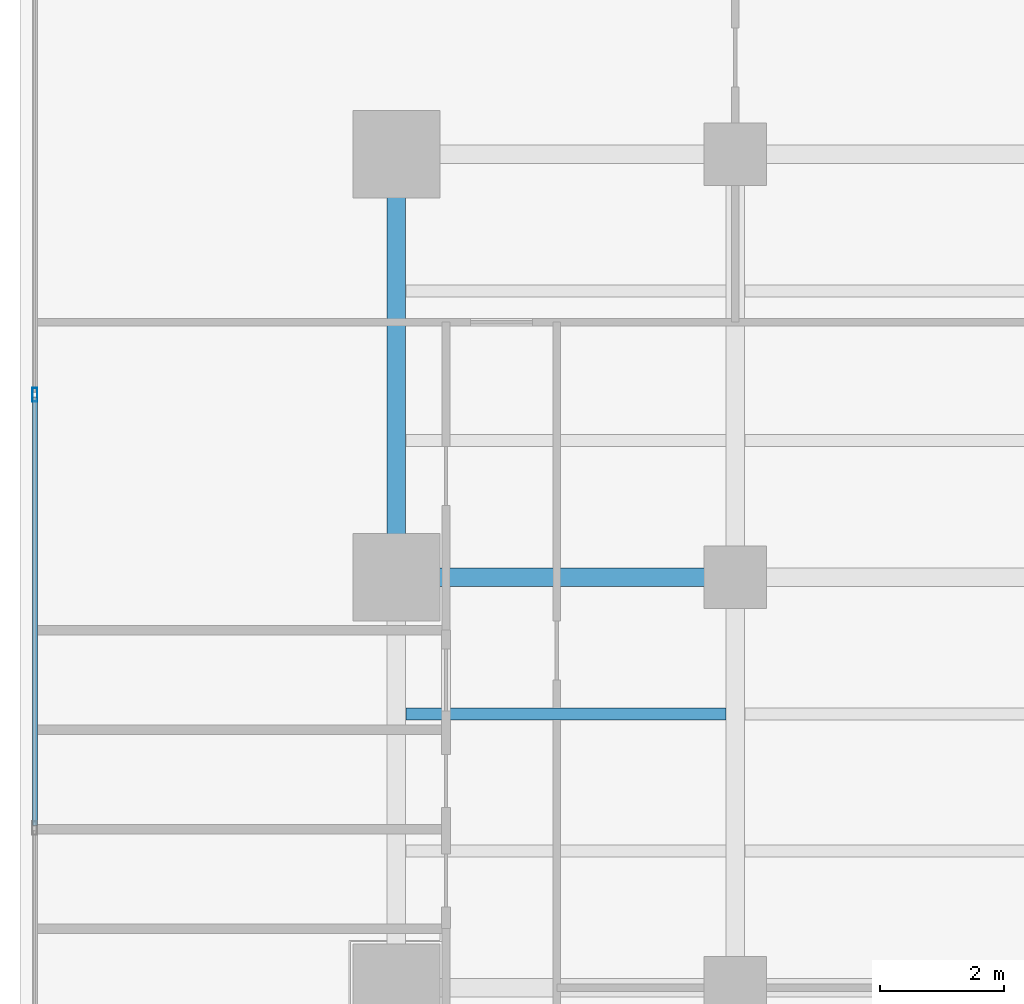
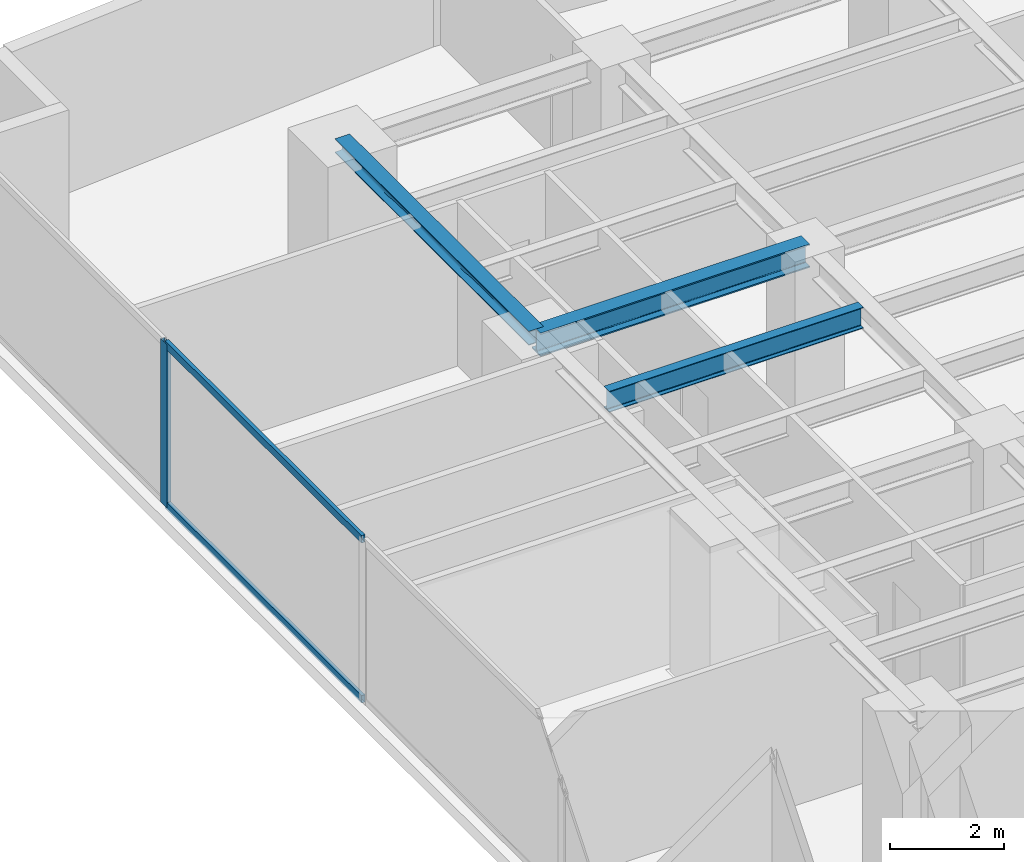
# One storey, part 14 of 25: 3 beams, 3 members, 1 element without a shape of its own.
"""IFC4 building model written with IfcOpenShell, lengths in metres."""

import ifcopenshell
import ifcopenshell.guid

model = None  # the IFC model being written
_history = None  # IfcOwnerHistory: only IFC2X3 demands one
_inside = {}  # id of a spatial element -> (the spatial element, [elements in it])
_under = {}  # id of a project, library or spatial element -> (it, [spatial elements below it])
_declared = {}  # id of a project -> (the project, [libraries it declares])
_typed = {}  # id of a type object -> (the type object, [elements of that type])
_made_of = {}  # id of a material, layer set ... -> (it, [elements and type objects made of it])


def new_model(schema):
    """Start an empty IFC model of exactly this schema.

    Asked for "IFC4X3", IfcOpenShell would pick the latest addendum, in which some entities
    have other attributes; the version numbers below select the first issue.
    IFC2X3 requires an IfcOwnerHistory on every rooted entity: one is made here for all.
    """
    global model, _history
    if schema == "IFC4X3":
        model = ifcopenshell.file(schema_version=(4, 3, 0, 0))
    else:
        model = ifcopenshell.file(schema=schema)
    _inside.clear()
    _under.clear()
    _declared.clear()
    _typed.clear()
    _made_of.clear()
    _history = None
    if model.schema == "IFC2X3":
        org = make("IfcOrganization", Name="unknown")
        user = make(
            "IfcPersonAndOrganization",
            ThePerson=make("IfcPerson", FamilyName="unknown"),
            TheOrganization=org,
        )
        app = make(
            "IfcApplication",
            ApplicationDeveloper=org,
            Version="unknown",
            ApplicationFullName="unknown",
            ApplicationIdentifier="unknown",
        )
        _history = make(
            "IfcOwnerHistory",
            OwningUser=user,
            OwningApplication=app,
            ChangeAction="ADDED",
            CreationDate=0,
        )
    return model


def make(cls, **values):
    """One entity of the class cls with the attributes given. An attribute that is None is left unset."""
    return model.create_entity(
        cls, **{name: value for name, value in values.items() if value is not None}
    )


def rooted(cls, **values):
    """An entity with a GlobalId (a new one), such as an element, a storey or a relation."""
    return make(cls, GlobalId=ifcopenshell.guid.new(), OwnerHistory=_history, **values)


def si_unit(unit_type, name, prefix=None):
    """IfcSIUnit, for example si_unit("LENGTHUNIT", "METRE", prefix="MILLI")."""
    return make("IfcSIUnit", UnitType=unit_type, Prefix=prefix, Name=name)


def assignment(units):
    """IfcUnitAssignment: the units of a project."""
    return None if units is None else make("IfcUnitAssignment", Units=units)


def point(xyz):
    """IfcCartesianPoint."""
    return None if xyz is None else make("IfcCartesianPoint", Coordinates=xyz)


def direction(xyz):
    """IfcDirection."""
    return None if xyz is None else make("IfcDirection", DirectionRatios=xyz)


def frame(location, z_axis=None, x_axis=None):
    """IfcAxis2Placement3D, a coordinate frame: its origin and axes. An axis left out is left unset."""
    return make(
        "IfcAxis2Placement3D",
        Location=point(location),
        Axis=direction(z_axis),
        RefDirection=direction(x_axis),
    )


def frame_2d(location, x_axis=None):
    """IfcAxis2Placement2D, a coordinate frame in the plane: its origin and x axis."""
    return make(
        "IfcAxis2Placement2D", Location=point(location), RefDirection=direction(x_axis)
    )


def origin():
    """The frame at (0, 0, 0) with its axes left unset."""
    return frame((0.0, 0.0, 0.0))


def origin_with_axes():
    """The frame at (0, 0, 0) with the z axis (0, 0, 1) and the x axis (1, 0, 0) written out."""
    return frame((0.0, 0.0, 0.0), z_axis=(0.0, 0.0, 1.0), x_axis=(1.0, 0.0, 0.0))


def origin_2d():
    """The frame at (0, 0) in the plane with its x axis left unset."""
    return frame_2d((0.0, 0.0))


def place(relative_to, where):
    """IfcLocalPlacement: puts the frame where relative to a parent placement (None: the world)."""
    return make(
        "IfcLocalPlacement", PlacementRelTo=relative_to, RelativePlacement=where
    )


def context(
    kind, dimensions, precision=None, world=None, true_north=None, identifier=None
):
    """IfcGeometricRepresentationContext, for example the 3D "Model" context."""
    return make(
        "IfcGeometricRepresentationContext",
        ContextIdentifier=identifier,
        ContextType=kind,
        CoordinateSpaceDimension=dimensions,
        Precision=precision,
        WorldCoordinateSystem=world,
        TrueNorth=true_north,
    )


def subcontext(parent, identifier, kind, view, scale=None):
    """IfcGeometricRepresentationSubContext, for example "Body" below "Model"."""
    return make(
        "IfcGeometricRepresentationSubContext",
        ContextIdentifier=identifier,
        ContextType=kind,
        ParentContext=parent,
        TargetScale=scale,
        TargetView=view,
    )


def project(units=None, contexts=None):
    """IfcProject with its units and contexts."""
    return rooted(
        "IfcProject",
        Name="project",
        RepresentationContexts=contexts,
        UnitsInContext=assignment(units),
    )


def spatial(cls, under=None, at=None, **own):
    """A site, building, storey or space (cls), placed at a placement, below another one or the project."""
    s = rooted(cls, ObjectPlacement=at, **own)
    if under is not None:
        _under.setdefault(under.id(), (under, []))[1].append(s)
    return s


def profile(cls, at=None, kind="AREA", **sizes):
    """A parametric profile (cls). Its sizes go by their IFC names, for example OverallWidth=200.0."""
    return make(cls, ProfileType=kind, Position=at, **sizes)


def hollow_rectangle(**sizes):
    """IfcRectangleHollowProfileDef."""
    return profile("IfcRectangleHollowProfileDef", **sizes)


def i_section(**sizes):
    """IfcIShapeProfileDef."""
    return profile("IfcIShapeProfileDef", **sizes)


def extrude(swept, where, along, depth):
    """IfcExtrudedAreaSolid: the profile swept, set in the frame where, extruded along a direction by depth."""
    return make(
        "IfcExtrudedAreaSolid",
        SweptArea=swept,
        Position=where,
        ExtrudedDirection=direction(along),
        Depth=depth,
    )


def shape(context_of_items, identifier, shape_type, items):
    """IfcShapeRepresentation: the items that make up one representation, for example the "Body"."""
    return make(
        "IfcShapeRepresentation",
        ContextOfItems=context_of_items,
        RepresentationIdentifier=identifier,
        RepresentationType=shape_type,
        Items=items,
    )


def source(mapping_origin, context_of_items, identifier, shape_type, items):
    """IfcRepresentationMap: a shape defined once, which mapped items show again and again."""
    return make(
        "IfcRepresentationMap",
        MappingOrigin=mapping_origin,
        MappedRepresentation=shape(context_of_items, identifier, shape_type, items),
    )


def transform(
    local_origin,
    x_axis=None,
    y_axis=None,
    z_axis=None,
    scale=None,
    scale2=None,
    scale3=None,
    uniform=True,
):
    """IfcCartesianTransformationOperator3D, or its non-uniform kind. x_axis, y_axis, z_axis: its Axis1, 2, 3."""
    if uniform:
        return make(
            "IfcCartesianTransformationOperator3D",
            Axis1=direction(x_axis),
            Axis2=direction(y_axis),
            LocalOrigin=point(local_origin),
            Scale=scale,
            Axis3=direction(z_axis),
        )
    return make(
        "IfcCartesianTransformationOperator3DnonUniform",
        Axis1=direction(x_axis),
        Axis2=direction(y_axis),
        LocalOrigin=point(local_origin),
        Scale=scale,
        Axis3=direction(z_axis),
        Scale2=scale2,
        Scale3=scale3,
    )


def mapped(mapping_source, mapping_target):
    """IfcMappedItem: shows the shape of a source again, moved by a transform."""
    return make(
        "IfcMappedItem", MappingSource=mapping_source, MappingTarget=mapping_target
    )


def material(Name=None, Category=None):
    """IfcMaterial."""
    return make("IfcMaterial", Name=Name, Category=Category)


def layer(
    of_material, thickness, ventilated=None, Name=None, Category=None, Priority=None
):
    """IfcMaterialLayer: one layer of a wall or slab, of a material (None: an air gap)."""
    return make(
        "IfcMaterialLayer",
        Material=of_material,
        LayerThickness=thickness,
        IsVentilated=ventilated,
        Name=Name,
        Category=Category,
        Priority=Priority,
    )


def layer_set(layers, Name=None):
    """IfcMaterialLayerSet."""
    return make("IfcMaterialLayerSet", MaterialLayers=layers, LayerSetName=Name)


def material_profile(
    of_material, cross_section, Name=None, Category=None, Priority=None
):
    """IfcMaterialProfile: a cross section and its material."""
    return make(
        "IfcMaterialProfile",
        Name=Name,
        Material=of_material,
        Profile=cross_section,
        Priority=Priority,
        Category=Category,
    )


def profile_set(profiles, Name=None, composite=None):
    """IfcMaterialProfileSet."""
    return make(
        "IfcMaterialProfileSet",
        Name=Name,
        MaterialProfiles=profiles,
        CompositeProfile=composite,
    )


def made_of(thing, what):
    """Note that an element or type object is made of a material, layer set ...; save() writes the relation."""
    if what is not None:
        _made_of.setdefault(what.id(), (what, []))[1].append(thing)
    return thing


def type_object(cls, material=None, **own):
    """A type object (cls), such as IfcWallType, which elements share."""
    return made_of(rooted(cls, **own), material)


def element(
    cls,
    number,
    at=None,
    inside=None,
    cuts=None,
    type_object=None,
    material=None,
    context=None,
    identifier="Body",
    shape_type=None,
    held_by="IfcProductDefinitionShape",
    body=None,
    shapes=None,
    **own,
):
    """One element of the class cls, such as IfcWall. Its Tag is "e" and its number.

    at: its placement. inside: the storey or other place that contains it. cuts: it is an
    opening in that element (IfcRelVoidsElement). A single representation is given by context,
    identifier, shape_type and body (its items); several are given by shapes. held_by: the class
    of the entity that holds the representations. save() writes the other relations.
    """
    e = rooted(cls, Tag="e%d" % number, ObjectPlacement=at, **own)
    if body is not None:
        shapes = [shape(context, identifier, shape_type, body)]
    if shapes is not None:
        e.Representation = make(held_by, Representations=shapes)
    if inside is not None:
        _inside.setdefault(inside.id(), (inside, []))[1].append(e)
    if cuts is not None:
        rooted(
            "IfcRelVoidsElement", RelatingBuildingElement=cuts, RelatedOpeningElement=e
        )
    if type_object is not None:
        _typed.setdefault(type_object.id(), (type_object, []))[1].append(e)
    return made_of(e, material)


def aggregate(whole, parts):
    """IfcRelAggregates: a whole, such as a stair, and the parts it consists of."""
    return rooted("IfcRelAggregates", RelatingObject=whole, RelatedObjects=parts)


def save(model, path):
    """Write the relations noted so far, then the file.

    IfcRelAggregates (storeys below a building ...), IfcRelContainedInSpatialStructure (elements
    in a storey), IfcRelDefinesByType, IfcRelAssociatesMaterial and IfcRelDeclares: one each for
    every whole, place, type object, material and project.
    """
    for whole, parts in _under.values():
        aggregate(whole, parts)
    for where, things in _inside.values():
        rooted(
            "IfcRelContainedInSpatialStructure",
            RelatedElements=things,
            RelatingStructure=where,
        )
    for kind, things in _typed.values():
        rooted("IfcRelDefinesByType", RelatedObjects=things, RelatingType=kind)
    for what, things in _made_of.values():
        rooted("IfcRelAssociatesMaterial", RelatedObjects=things, RelatingMaterial=what)
    for by, libraries in _declared.values():
        rooted("IfcRelDeclares", RelatingContext=by, RelatedDefinitions=libraries)
    model.write(path)


model = new_model("IFC4")

# Units and contexts
model_context = context("Model", 3, precision=1e-05, world=origin(), true_north=direction((0.0, 1.0)))
body_context = subcontext(model_context, "Body", "Model", "MODEL_VIEW")
ifc_project = project(units=[si_unit("LENGTHUNIT", "METRE"), si_unit("AREAUNIT", "SQUARE_METRE"), si_unit("VOLUMEUNIT", "CUBIC_METRE"), si_unit("PLANEANGLEUNIT", "RADIAN"), si_unit("MASSUNIT", "GRAM", prefix="KILO")], contexts=[model_context])

# Site, building, storey
site_placement = place(None, origin())
site = spatial("IfcSite", under=ifc_project, at=site_placement, CompositionType="ELEMENT")
building_placement = place(site_placement, origin())
building = spatial("IfcBuilding", under=site, at=building_placement, Name="Kolvaren Waterfront Exchange", CompositionType="ELEMENT")
storey_placement = place(building_placement, frame((0.0, 0.0, 106.89990234375)))
storey = spatial("IfcBuildingStorey", under=building, at=storey_placement, Name="L27", CompositionType="ELEMENT", Elevation=106.89990234375)

# Beams
ifc_material_1 = material(Name="Steel S355", Category="steel")
ifc_material_profile_1 = material_profile(ifc_material_1, i_section(OverallWidth=0.300048828125, OverallDepth=0.300048828125, WebThickness=0.010986328125, FlangeThickness=0.01904296875, FilletRadius=0.027099609375, at=origin_2d()), Name="HEB300")
ifc_profile_set_1 = profile_set([ifc_material_profile_1], Name="Steel S355")
beam_type_1 = type_object("IfcBeamType", Name="STR-BM-HEB300", PredefinedType="SPANDREL", material=ifc_profile_set_1)
beam_1_placement = place(storey_placement, frame((7.449951171875, 37.800048828125, 3.35009765625), z_axis=(0.0, 1.0, 0.0), x_axis=(-1.0, 0.0, 0.0)))
element("IfcBeam", 1, at=beam_1_placement, inside=storey, type_object=beam_type_1, Name="L27 north-arm edge beam 3", PredefinedType="SPANDREL", context=body_context, shape_type="SweptSolid", body=[
    extrude(i_section(OverallWidth=0.300048828125, OverallDepth=0.300048828125, WebThickness=0.010986328125, FlangeThickness=0.01904296875, FilletRadius=0.027099609375, at=origin_2d()), origin(), (0.0, 0.0, 1.0), 6.800048828125),
])
ifc_material_profile_2 = material_profile(ifc_material_1, i_section(OverallWidth=0.300048828125, OverallDepth=0.5, WebThickness=0.014404296875, FlangeThickness=0.028076171875, FilletRadius=0.027099609375, at=origin_2d()), Name="HEB500")
ifc_profile_set_2 = profile_set([ifc_material_profile_2], Name="Steel S355")
beam_type_2 = type_object("IfcBeamType", Name="STR-BM-HEB500", PredefinedType="BEAM", material=ifc_profile_set_2)
beam_2_placement = place(storey_placement, frame((7.449951171875, 37.800048828125, 3.25), z_axis=(1.0, 0.0, 0.0), x_axis=(0.0, 1.0, 0.0)))
element("IfcBeam", 2, at=beam_2_placement, inside=storey, type_object=beam_type_2, Name="L27 north-arm girder 3A", PredefinedType="BEAM", context=body_context, shape_type="SweptSolid", body=[
    extrude(i_section(OverallWidth=0.300048828125, OverallDepth=0.5, WebThickness=0.014404296875, FlangeThickness=0.028076171875, FilletRadius=0.027099609375, at=origin_2d()), origin(), (0.0, 0.0, 1.0), 5.449951171875),
])
ifc_material_profile_3 = material_profile(ifc_material_1, i_section(OverallWidth=0.18994140625, OverallDepth=0.449951171875, WebThickness=0.009521484375, FlangeThickness=0.0146484375, FilletRadius=0.02099609375, at=origin_2d()), Name="IPE450")
ifc_profile_set_3 = profile_set([ifc_material_profile_3], Name="Steel S355")
beam_type_3 = type_object("IfcBeamType", Name="STR-BM-IPE450", PredefinedType="JOIST", material=ifc_profile_set_3)
beam_3_placement = place(storey_placement, frame((7.60205078125, 35.60009765625, 3.275146484375), z_axis=(1.0, 0.0, 0.0), x_axis=(0.0, 1.0, 0.0)))
element("IfcBeam", 3, at=beam_3_placement, inside=storey, type_object=beam_type_3, Name="L27 north-arm composite joist 4A", PredefinedType="JOIST", context=body_context, shape_type="SweptSolid", body=[
    extrude(i_section(OverallWidth=0.18994140625, OverallDepth=0.449951171875, WebThickness=0.009521484375, FlangeThickness=0.0146484375, FilletRadius=0.02099609375, at=origin_2d()), origin(), (0.0, 0.0, 1.0), 5.14599609375),
])

# Curtain wall, members
ifc_material_2 = material(Name="Anodised aluminium 6063-T6", Category="aluminium")
ifc_layer = layer(ifc_material_2, 0.219970703125, Name="Anodised aluminium 6063-T6")
ifc_layer_set = layer_set([ifc_layer], Name="Anodised aluminium 6063-T6")
curtain_wall_type = type_object("IfcCurtainWallType", Name="ARC-CW-SYS2", PredefinedType="USERDEFINED", material=ifc_layer_set)
curtain_wall_placement = place(storey_placement, origin())
curtain_wall = element("IfcCurtainWall", 4, at=curtain_wall_placement, inside=storey, type_object=curtain_wall_type, Name="L27 stick curtain wall CW2 (CW-L27-W)", ObjectType="STICK CURTAIN WALL", PredefinedType="USERDEFINED")
ifc_material_profile_4 = material_profile(ifc_material_2, hollow_rectangle(XDim=0.074951171875, YDim=0.159912109375, WallThickness=0.00439453125, at=origin_2d()), Name="ALU-TRN-160x75x4.5")
ifc_profile_set_4 = profile_set([ifc_material_profile_4], Name="Anodised aluminium 6063-T6")
member_type_1 = type_object("IfcMemberType", Name="ARC-CWT-160", PredefinedType="USERDEFINED", material=ifc_profile_set_4)
shared_shape_1 = source(origin_with_axes(), body_context, "Body", "SweptSolid", [
    extrude(hollow_rectangle(XDim=0.074951171875, YDim=0.159912109375, WallThickness=0.00439453125, at=origin_2d()), origin(), (0.0, 0.0, 1.0), 6.88671875),
])
member_1_placement = place(storey_placement, frame((1.639892578125, 33.806640625, 0.03759765625), z_axis=(0.0, 1.0, 0.0), x_axis=(-1.0, 0.0, 0.0)))
member_1 = element("IfcMember", 5, at=member_1_placement, type_object=member_type_1, Name="CW2 transom 5.1", ObjectType="TRANSOM", PredefinedType="USERDEFINED", context=body_context, shape_type="MappedRepresentation", body=[
    mapped(shared_shape_1, transform((0.0, 0.0, 0.0), x_axis=(1.0, 0.0, 0.0), y_axis=(0.0, 1.0, 0.0), z_axis=(0.0, 0.0, 1.0), scale=1.0)),
])
member_2_placement = place(storey_placement, frame((1.639892578125, 33.806640625, 3.462646484375), z_axis=(0.0, 1.0, 0.0), x_axis=(-1.0, 0.0, 0.0)))
member_2 = element("IfcMember", 6, at=member_2_placement, type_object=member_type_1, Name="CW2 transom 5.2", ObjectType="TRANSOM", PredefinedType="USERDEFINED", context=body_context, shape_type="MappedRepresentation", body=[
    mapped(shared_shape_1, transform((0.0, 0.0, 0.0), x_axis=(1.0, 0.0, 0.0), y_axis=(0.0, 1.0, 0.0), z_axis=(0.0, 0.0, 1.0), scale=1.0)),
])
ifc_material_profile_5 = material_profile(ifc_material_2, hollow_rectangle(XDim=0.080078125, YDim=0.219970703125, WallThickness=0.0048828125, at=origin_2d()), Name="ALU-MUL-220x80x5")
ifc_profile_set_5 = profile_set([ifc_material_profile_5], Name="Anodised aluminium 6063-T6")
member_type_2 = type_object("IfcMemberType", Name="ARC-CWM-220", PredefinedType="MULLION", material=ifc_profile_set_5)
shared_shape_2 = source(origin_with_axes(), body_context, "Body", "SweptSolid", [
    extrude(hollow_rectangle(XDim=0.080078125, YDim=0.219970703125, WallThickness=0.0048828125, at=origin_2d()), origin(), (0.0, 0.0, 1.0), 3.5),
])
member_3_placement = place(storey_placement, frame((1.639892578125, 40.7333984375, 0.0), z_axis=(0.0, 0.0, 1.0), x_axis=(-1.0, 0.0, 0.0)))
member_3 = element("IfcMember", 7, at=member_3_placement, type_object=member_type_2, Name="CW2 mullion 6", PredefinedType="MULLION", context=body_context, shape_type="MappedRepresentation", body=[
    mapped(shared_shape_2, transform((0.0, 0.0, 0.0), x_axis=(1.0, 0.0, 0.0), y_axis=(0.0, 1.0, 0.0), z_axis=(0.0, 0.0, 1.0), scale=1.0)),
])
aggregate(curtain_wall, [member_3, member_1, member_2])

save(model, "model.ifc")
